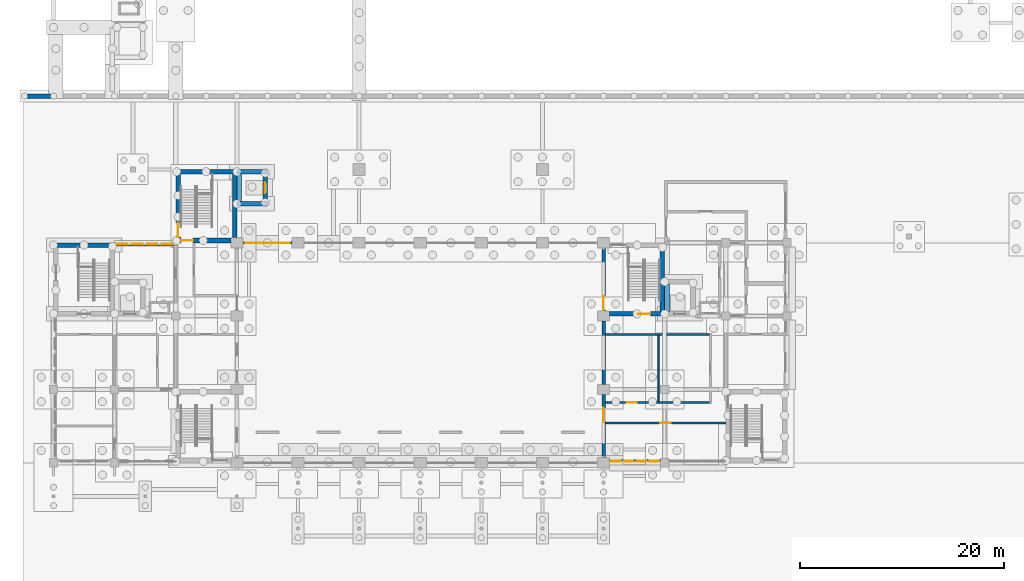
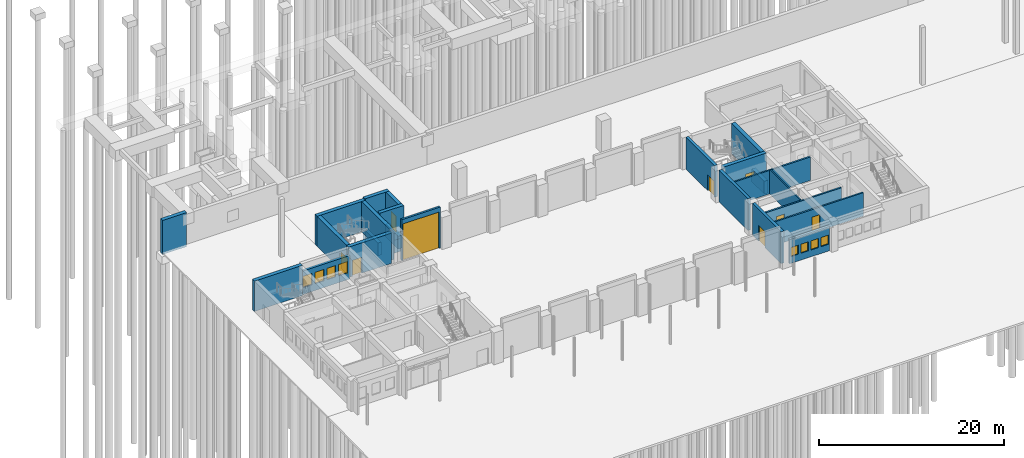
# One storey, part 22 of 37: 26 walls, 9 doors, 8 windows, 17 openings.
"""IFC4 building model written with IfcOpenShell, lengths in metres."""

from ifc_helpers import new_model, si_unit, direction, frame, frame_2d, origin, place, context, subcontext, project, spatial, rectangle, extrude, material, layer, layer_set, type_object, element, fill, save


model = new_model("IFC4")

# Units and contexts
model_context = context("Model", 3, precision=1e-05, world=origin(), true_north=direction((0.0, 1.0)))
body_context = subcontext(model_context, "Body", "Model", "MODEL_VIEW")
ifc_project = project(units=[si_unit("LENGTHUNIT", "METRE"), si_unit("AREAUNIT", "SQUARE_METRE"), si_unit("VOLUMEUNIT", "CUBIC_METRE"), si_unit("PLANEANGLEUNIT", "RADIAN"), si_unit("MASSUNIT", "GRAM", prefix="KILO")], contexts=[model_context])

# Site, building, storey
site_placement = place(None, origin())
site = spatial("IfcSite", under=ifc_project, at=site_placement, CompositionType="ELEMENT")
building_placement = place(site_placement, origin())
building = spatial("IfcBuilding", under=site, at=building_placement, Name="Laocheng Heights Fire and Rescue Headquarters", CompositionType="ELEMENT")
storey_placement = place(building_placement, origin())
storey = spatial("IfcBuildingStorey", under=building, at=storey_placement, Name="L00", CompositionType="ELEMENT", Elevation=0.0)

# Wall, opening, door
ifc_material_1 = material(Name="Gypsum plaster")
ifc_layer_1 = layer(ifc_material_1, 0.010009765625, Name="PLASTER", Category="plaster")
ifc_material_2 = material(Name="Concrete blockwork MU10", Category="masonry")
ifc_layer_2 = layer(ifc_material_2, 0.179931640625, Name="BLOCKWORK", Category="masonry")
ifc_layer_3 = layer(ifc_material_1, 0.010009765625, Name="PLASTER", Category="plaster")
ifc_layer_set_1 = layer_set([ifc_layer_1, ifc_layer_2, ifc_layer_3], Name="Concrete blockwork MU10")
wall_type_1 = type_object("IfcWallType", Name="BLOCKWORK FIRE PARTITION 200 EI 60 BAY", PredefinedType="PARTITIONING", material=ifc_layer_set_1)
wall_1_placement = place(storey_placement, frame((54.14990234375, 3.89990234375, 0.0), z_axis=(0.0, 0.0, 1.0), x_axis=(1.0, 0.0, 0.0)))
wall_1 = element("IfcWall", 1, at=wall_1_placement, inside=storey, type_object=wall_type_1, Name="Partition L00-018", PredefinedType="PARTITIONING", context=body_context, shape_type="SweptSolid", body=[
    extrude(rectangle(XDim=11.85009765625, YDim=0.199951171875, at=frame_2d((5.925048828125, 0.0))), origin(), (0.0, 0.0, 1.0), 3.10009765625),
])
opening_1_placement = place(wall_1_placement, frame((5.425048828125, 0.0, 0.0)))
opening_1 = element("IfcOpeningElement", 2, at=opening_1_placement, cuts=wall_1, Name="Opening L00-I08", PredefinedType="OPENING", context=body_context, shape_type="SweptSolid", body=[
    extrude(rectangle(XDim=1.0, YDim=2.10009765625, at=frame_2d((0.5, 1.050048828125))), frame((0.0, 0.10986328125, 0.0), z_axis=(0.0, -1.0, 0.0), x_axis=(1.0, 0.0, 0.0)), (0.0, 0.0, 1.0), 0.219970703125),
])
ifc_material_3 = material(Name="Steel door leaf, painted", Category="steel")
door_type_1 = type_object("IfcDoorType", Name="STEEL FIRE DOOR 1000x2100 EI 60 BAY", OperationType="SINGLE_SWING_LEFT", PredefinedType="DOOR", material=ifc_material_3)
door_1_placement = place(opening_1_placement, frame((1.0, 0.0, 0.0), z_axis=(0.0, 0.0, 1.0), x_axis=(-1.0, 0.0, 0.0)))
door_1 = element("IfcDoor", 3, at=door_1_placement, inside=storey, type_object=door_type_1, Name="Door L00-I08", OperationType="SINGLE_SWING_RIGHT", OverallHeight=2.10009765625, OverallWidth=1.0, PredefinedType="DOOR", context=body_context, shape_type="SweptSolid", body=[
    extrude(rectangle(XDim=1.0, YDim=2.10009765625, at=frame_2d((0.5, 1.050048828125))), frame((0.0, 0.02490234375, 0.0), z_axis=(0.0, -1.0, 0.0), x_axis=(1.0, 0.0, 0.0)), (0.0, 0.0, 1.0), 0.050048828125),
])
fill(opening_1, door_1)

wall_2_placement = place(storey_placement, frame((54.14990234375, 5.89990234375, 0.0), z_axis=(0.0, 0.0, 1.0), x_axis=(1.0, 0.0, 0.0)))
wall_2 = element("IfcWall", 4, at=wall_2_placement, inside=storey, type_object=wall_type_1, Name="Partition L00-019", PredefinedType="PARTITIONING", context=body_context, shape_type="SweptSolid", body=[
    extrude(rectangle(XDim=10.25, YDim=0.199951171875, at=frame_2d((5.125, 0.0))), origin(), (0.0, 0.0, 1.0), 3.10009765625),
])
opening_2_placement = place(wall_2_placement, frame((2.125, 0.0, 0.0)))
opening_2 = element("IfcOpeningElement", 5, at=opening_2_placement, cuts=wall_2, Name="Opening L00-I09", PredefinedType="OPENING", context=body_context, shape_type="SweptSolid", body=[
    extrude(rectangle(XDim=1.0, YDim=2.10009765625, at=frame_2d((0.5, 1.050048828125))), frame((0.0, 0.10986328125, 0.0), z_axis=(0.0, -1.0, 0.0), x_axis=(1.0, 0.0, 0.0)), (0.0, 0.0, 1.0), 0.219970703125),
])
door_2_placement = place(opening_2_placement, origin())
door_2 = element("IfcDoor", 6, at=door_2_placement, inside=storey, type_object=door_type_1, Name="Door L00-I09", OperationType="SINGLE_SWING_RIGHT", OverallHeight=2.10009765625, OverallWidth=1.0, PredefinedType="DOOR", context=body_context, shape_type="SweptSolid", body=[
    extrude(rectangle(XDim=1.0, YDim=2.10009765625, at=frame_2d((0.5, 1.050048828125))), frame((0.0, 0.02490234375, 0.0), z_axis=(0.0, -1.0, 0.0), x_axis=(1.0, 0.0, 0.0)), (0.0, 0.0, 1.0), 0.050048828125),
])
fill(opening_2, door_2)

# Walls
wall_3_placement = place(storey_placement, frame((54.14990234375, 12.60009765625, 0.0), z_axis=(0.0, 0.0, 1.0), x_axis=(1.0, 0.0, 0.0)))
element("IfcWall", 7, at=wall_3_placement, inside=storey, type_object=wall_type_1, Name="Partition L00-023", PredefinedType="PARTITIONING", context=body_context, shape_type="SweptSolid", body=[
    extrude(rectangle(XDim=10.25, YDim=0.199951171875, at=frame_2d((5.125, 0.0))), origin(), (0.0, 0.0, 1.0), 3.10009765625),
])
ifc_material_4 = material(Name="Gypsum plaster")
ifc_layer_4 = layer(ifc_material_4, 0.010009765625, Name="PLASTER", Category="plaster")
ifc_material_5 = material(Name="Concrete blockwork MU10", Category="masonry")
ifc_layer_5 = layer(ifc_material_5, 0.1298828125, Name="BLOCKWORK", Category="masonry")
ifc_layer_6 = layer(ifc_material_4, 0.010009765625, Name="PLASTER", Category="plaster")
ifc_layer_set_2 = layer_set([ifc_layer_4, ifc_layer_5, ifc_layer_6], Name="Concrete blockwork MU10")
wall_type_2 = type_object("IfcWallType", Name="BLOCKWORK PARTITION 150 EI 45 BAY", PredefinedType="PARTITIONING", material=ifc_layer_set_2)
wall_4_placement = place(storey_placement, frame((59.39990234375, 6.0, 0.0), z_axis=(0.0, 0.0, 1.0), x_axis=(0.0, 1.0, 0.0)))
element("IfcWall", 8, at=wall_4_placement, inside=storey, type_object=wall_type_2, Name="Partition L00-008", PredefinedType="PARTITIONING", context=body_context, shape_type="SweptSolid", body=[
    extrude(rectangle(XDim=6.5, YDim=0.14990234375, at=frame_2d((3.25, 0.0))), origin(), (0.0, 0.0, 1.0), 3.199951171875),
])

# Wall, openings, windows
ifc_material_6 = material(Name="Precast concrete C40/50", Category="concrete")
ifc_layer_7 = layer(ifc_material_6, 0.300048828125)
ifc_layer_set_3 = layer_set([ifc_layer_7], Name="Precast concrete C40/50")
wall_type_3 = type_object("IfcWallType", Name="PRECAST PANEL WALL 300 EAST FLANK", PredefinedType="SOLIDWALL", material=ifc_layer_set_3)
wall_5_placement = place(storey_placement, frame((54.60009765625, 0.14990234375, 0.0), z_axis=(0.0, 0.0, 1.0), x_axis=(1.0, 0.0, 0.0)))
wall_5 = element("IfcWall", 9, at=wall_5_placement, inside=storey, type_object=wall_type_3, Name="Flank E wall L00", PredefinedType="SOLIDWALL", context=body_context, shape_type="SweptSolid", body=[
    extrude(rectangle(XDim=5.0, YDim=0.300048828125, at=frame_2d((2.5, 0.0))), origin(), (0.0, 0.0, 1.0), 3.199951171875),
])
opening_3_placement = place(wall_5_placement, frame((0.175048828125, 0.0, 0.89990234375)))
opening_3 = element("IfcOpeningElement", 10, at=opening_3_placement, cuts=wall_5, Name="Opening N2-E", PredefinedType="OPENING", context=body_context, shape_type="SweptSolid", body=[
    extrude(rectangle(XDim=0.89990234375, YDim=1.199951171875, at=frame_2d((0.449951171875, 0.60009765625))), frame((0.0, 0.159912109375, 0.0), z_axis=(0.0, -1.0, 0.0), x_axis=(1.0, 0.0, 0.0)), (0.0, 0.0, 1.0), 0.320068359375),
])
opening_4_placement = place(wall_5_placement, frame((1.425048828125, 0.0, 0.89990234375)))
opening_4 = element("IfcOpeningElement", 11, at=opening_4_placement, cuts=wall_5, Name="Opening N2-E", PredefinedType="OPENING", context=body_context, shape_type="SweptSolid", body=[
    extrude(rectangle(XDim=0.89990234375, YDim=1.199951171875, at=frame_2d((0.449951171875, 0.60009765625))), frame((0.0, 0.159912109375, 0.0), z_axis=(0.0, -1.0, 0.0), x_axis=(1.0, 0.0, 0.0)), (0.0, 0.0, 1.0), 0.320068359375),
])
opening_5_placement = place(wall_5_placement, frame((2.675048828125, 0.0, 0.89990234375)))
opening_5 = element("IfcOpeningElement", 12, at=opening_5_placement, cuts=wall_5, Name="Opening N2-E", PredefinedType="OPENING", context=body_context, shape_type="SweptSolid", body=[
    extrude(rectangle(XDim=0.89990234375, YDim=1.199951171875, at=frame_2d((0.449951171875, 0.60009765625))), frame((0.0, 0.159912109375, 0.0), z_axis=(0.0, -1.0, 0.0), x_axis=(1.0, 0.0, 0.0)), (0.0, 0.0, 1.0), 0.320068359375),
])
opening_6_placement = place(wall_5_placement, frame((3.925048828125, 0.0, 0.89990234375)))
opening_6 = element("IfcOpeningElement", 13, at=opening_6_placement, cuts=wall_5, Name="Opening N2-E", PredefinedType="OPENING", context=body_context, shape_type="SweptSolid", body=[
    extrude(rectangle(XDim=0.89990234375, YDim=1.199951171875, at=frame_2d((0.449951171875, 0.60009765625))), frame((0.0, 0.159912109375, 0.0), z_axis=(0.0, -1.0, 0.0), x_axis=(1.0, 0.0, 0.0)), (0.0, 0.0, 1.0), 0.320068359375),
])
ifc_material_7 = material(Name="Low-e double glazing in thermally broken aluminium frame", Category="aluminium")
window_type_1 = type_object("IfcWindowType", Name="PUNCHED WINDOW STEEL FRAME 900 x 1200 SILL 900", PartitioningType="SINGLE_PANEL", PredefinedType="WINDOW", material=ifc_material_7)
window_1_placement = place(opening_3_placement, origin())
window_1 = element("IfcWindow", 14, at=window_1_placement, inside=storey, type_object=window_type_1, Name="Flank_E window L00", OverallHeight=1.199951171875, OverallWidth=0.89990234375, PartitioningType="SINGLE_PANEL", PredefinedType="WINDOW", context=body_context, shape_type="SweptSolid", body=[
    extrude(rectangle(XDim=0.89990234375, YDim=1.199951171875, at=frame_2d((0.449951171875, 0.60009765625))), frame((0.0, 0.030029296875, 0.0), z_axis=(0.0, -1.0, 0.0), x_axis=(1.0, 0.0, 0.0)), (0.0, 0.0, 1.0), 0.06005859375),
])
fill(opening_3, window_1)
window_2_placement = place(opening_4_placement, origin())
window_2 = element("IfcWindow", 15, at=window_2_placement, inside=storey, type_object=window_type_1, Name="Flank_E window L00", OverallHeight=1.199951171875, OverallWidth=0.89990234375, PartitioningType="SINGLE_PANEL", PredefinedType="WINDOW", context=body_context, shape_type="SweptSolid", body=[
    extrude(rectangle(XDim=0.89990234375, YDim=1.199951171875, at=frame_2d((0.449951171875, 0.60009765625))), frame((0.0, 0.030029296875, 0.0), z_axis=(0.0, -1.0, 0.0), x_axis=(1.0, 0.0, 0.0)), (0.0, 0.0, 1.0), 0.06005859375),
])
fill(opening_4, window_2)
window_3_placement = place(opening_5_placement, origin())
window_3 = element("IfcWindow", 16, at=window_3_placement, inside=storey, type_object=window_type_1, Name="Flank_E window L00", OverallHeight=1.199951171875, OverallWidth=0.89990234375, PartitioningType="SINGLE_PANEL", PredefinedType="WINDOW", context=body_context, shape_type="SweptSolid", body=[
    extrude(rectangle(XDim=0.89990234375, YDim=1.199951171875, at=frame_2d((0.449951171875, 0.60009765625))), frame((0.0, 0.030029296875, 0.0), z_axis=(0.0, -1.0, 0.0), x_axis=(1.0, 0.0, 0.0)), (0.0, 0.0, 1.0), 0.06005859375),
])
fill(opening_5, window_3)
window_4_placement = place(opening_6_placement, origin())
window_4 = element("IfcWindow", 17, at=window_4_placement, inside=storey, type_object=window_type_1, Name="Flank_E window L00", OverallHeight=1.199951171875, OverallWidth=0.89990234375, PartitioningType="SINGLE_PANEL", PredefinedType="WINDOW", context=body_context, shape_type="SweptSolid", body=[
    extrude(rectangle(XDim=0.89990234375, YDim=1.199951171875, at=frame_2d((0.449951171875, 0.60009765625))), frame((0.0, 0.030029296875, 0.0), z_axis=(0.0, -1.0, 0.0), x_axis=(1.0, 0.0, 0.0)), (0.0, 0.0, 1.0), 0.06005859375),
])
fill(opening_6, window_4)

ifc_material_8 = material(Name="Precast concrete C40/50", Category="concrete")
ifc_layer_8 = layer(ifc_material_8, 0.300048828125)
ifc_layer_set_4 = layer_set([ifc_layer_8], Name="Precast concrete C40/50")
wall_type_4 = type_object("IfcWallType", Name="PRECAST SANDWICH WALL 300 WEST FLANK", PredefinedType="SOLIDWALL", material=ifc_layer_set_4)
wall_6_placement = place(storey_placement, frame((6.0, 21.449951171875, 0.0), z_axis=(0.0, 0.0, 1.0), x_axis=(1.0, 0.0, 0.0)))
wall_6 = element("IfcWall", 18, at=wall_6_placement, inside=storey, type_object=wall_type_4, Name="Flank W wall L00", PredefinedType="SOLIDWALL", context=body_context, shape_type="SweptSolid", body=[
    extrude(rectangle(XDim=6.0, YDim=0.300048828125, at=frame_2d((3.0, 0.0))), origin(), (0.0, 0.0, 1.0), 3.10009765625),
])
opening_7_placement = place(wall_6_placement, frame((0.1875, 0.0, 0.89990234375)))
opening_7 = element("IfcOpeningElement", 19, at=opening_7_placement, cuts=wall_6, Name="Opening N1-E", PredefinedType="OPENING", context=body_context, shape_type="SweptSolid", body=[
    extrude(rectangle(XDim=1.10009765625, YDim=1.5, at=frame_2d((0.550048828125, 0.75))), frame((0.0, 0.159912109375, 0.0), z_axis=(0.0, -1.0, 0.0), x_axis=(1.0, 0.0, 0.0)), (0.0, 0.0, 1.0), 0.320068359375),
])
opening_8_placement = place(wall_6_placement, frame((1.66259765625, 0.0, 0.89990234375)))
opening_8 = element("IfcOpeningElement", 20, at=opening_8_placement, cuts=wall_6, Name="Opening N1-E", PredefinedType="OPENING", context=body_context, shape_type="SweptSolid", body=[
    extrude(rectangle(XDim=1.10009765625, YDim=1.5, at=frame_2d((0.550048828125, 0.75))), frame((0.0, 0.159912109375, 0.0), z_axis=(0.0, -1.0, 0.0), x_axis=(1.0, 0.0, 0.0)), (0.0, 0.0, 1.0), 0.320068359375),
])
opening_9_placement = place(wall_6_placement, frame((3.137451171875, 0.0, 0.89990234375)))
opening_9 = element("IfcOpeningElement", 21, at=opening_9_placement, cuts=wall_6, Name="Opening N1-E", PredefinedType="OPENING", context=body_context, shape_type="SweptSolid", body=[
    extrude(rectangle(XDim=1.10009765625, YDim=1.5, at=frame_2d((0.550048828125, 0.75))), frame((0.0, 0.159912109375, 0.0), z_axis=(0.0, -1.0, 0.0), x_axis=(1.0, 0.0, 0.0)), (0.0, 0.0, 1.0), 0.320068359375),
])
opening_10_placement = place(wall_6_placement, frame((4.612548828125, 0.0, 0.89990234375)))
opening_10 = element("IfcOpeningElement", 22, at=opening_10_placement, cuts=wall_6, Name="Opening N1-E", PredefinedType="OPENING", context=body_context, shape_type="SweptSolid", body=[
    extrude(rectangle(XDim=1.10009765625, YDim=1.5, at=frame_2d((0.550048828125, 0.75))), frame((0.0, 0.159912109375, 0.0), z_axis=(0.0, -1.0, 0.0), x_axis=(1.0, 0.0, 0.0)), (0.0, 0.0, 1.0), 0.320068359375),
])
ifc_material_9 = material(Name="Low-e double glazing in thermally broken aluminium frame", Category="aluminium")
window_type_2 = type_object("IfcWindowType", Name="CASEMENT WINDOW 1100 x 1500 SILL 900", PartitioningType="SINGLE_PANEL", PredefinedType="WINDOW", material=ifc_material_9)
window_5_placement = place(opening_7_placement, origin())
window_5 = element("IfcWindow", 23, at=window_5_placement, inside=storey, type_object=window_type_2, Name="Flank_W window L00", OverallHeight=1.5, OverallWidth=1.10009765625, PartitioningType="SINGLE_PANEL", PredefinedType="WINDOW", context=body_context, shape_type="SweptSolid", body=[
    extrude(rectangle(XDim=1.10009765625, YDim=1.5, at=frame_2d((0.550048828125, 0.75))), frame((0.0, 0.030029296875, 0.0), z_axis=(0.0, -1.0, 0.0), x_axis=(1.0, 0.0, 0.0)), (0.0, 0.0, 1.0), 0.06005859375),
])
fill(opening_7, window_5)
window_6_placement = place(opening_8_placement, origin())
window_6 = element("IfcWindow", 24, at=window_6_placement, inside=storey, type_object=window_type_2, Name="Flank_W window L00", OverallHeight=1.5, OverallWidth=1.10009765625, PartitioningType="SINGLE_PANEL", PredefinedType="WINDOW", context=body_context, shape_type="SweptSolid", body=[
    extrude(rectangle(XDim=1.10009765625, YDim=1.5, at=frame_2d((0.550048828125, 0.75))), frame((0.0, 0.030029296875, 0.0), z_axis=(0.0, -1.0, 0.0), x_axis=(1.0, 0.0, 0.0)), (0.0, 0.0, 1.0), 0.06005859375),
])
fill(opening_8, window_6)
window_7_placement = place(opening_9_placement, origin())
window_7 = element("IfcWindow", 25, at=window_7_placement, inside=storey, type_object=window_type_2, Name="Flank_W window L00", OverallHeight=1.5, OverallWidth=1.10009765625, PartitioningType="SINGLE_PANEL", PredefinedType="WINDOW", context=body_context, shape_type="SweptSolid", body=[
    extrude(rectangle(XDim=1.10009765625, YDim=1.5, at=frame_2d((0.550048828125, 0.75))), frame((0.0, 0.030029296875, 0.0), z_axis=(0.0, -1.0, 0.0), x_axis=(1.0, 0.0, 0.0)), (0.0, 0.0, 1.0), 0.06005859375),
])
fill(opening_9, window_7)
window_8_placement = place(opening_10_placement, origin())
window_8 = element("IfcWindow", 26, at=window_8_placement, inside=storey, type_object=window_type_2, Name="Flank_W window L00", OverallHeight=1.5, OverallWidth=1.10009765625, PartitioningType="SINGLE_PANEL", PredefinedType="WINDOW", context=body_context, shape_type="SweptSolid", body=[
    extrude(rectangle(XDim=1.10009765625, YDim=1.5, at=frame_2d((0.550048828125, 0.75))), frame((0.0, 0.030029296875, 0.0), z_axis=(0.0, -1.0, 0.0), x_axis=(1.0, 0.0, 0.0)), (0.0, 0.0, 1.0), 0.06005859375),
])
fill(opening_10, window_8)

# Wall, opening, door
ifc_material_10 = material(Name="Concrete C50", Category="concrete")
ifc_layer_9 = layer(ifc_material_10, 0.35009765625)
ifc_layer_set_5 = layer_set([ifc_layer_9], Name="Concrete C50")
wall_type_5 = type_object("IfcWallType", Name="RC COMPARTMENT WALL 350 HALL REI 180", PredefinedType="SOLIDWALL", material=ifc_layer_set_5)
wall_7_placement = place(storey_placement, frame((54.0, 0.5, 0.0), z_axis=(0.0, 0.0, 1.0), x_axis=(0.0, 1.0, 0.0)))
wall_7 = element("IfcWall", 27, at=wall_7_placement, inside=storey, type_object=wall_type_5, Name="Hall compartment wall E1", PredefinedType="SOLIDWALL", context=body_context, shape_type="SweptSolid", body=[
    extrude(rectangle(XDim=6.199951171875, YDim=0.35009765625, at=frame_2d((3.10009765625, 0.0))), origin(), (0.0, 0.0, 1.0), 4.199951171875),
])
opening_11_placement = place(wall_7_placement, frame((3.5, 0.0, 0.0)))
opening_11 = element("IfcOpeningElement", 28, at=opening_11_placement, cuts=wall_7, Name="Opening L00-I21", PredefinedType="OPENING", context=body_context, shape_type="SweptSolid", body=[
    extrude(rectangle(XDim=1.39990234375, YDim=2.10009765625, at=frame_2d((0.699951171875, 1.050048828125))), frame((0.0, 0.18505859375, 0.0), z_axis=(0.0, -1.0, 0.0), x_axis=(1.0, 0.0, 0.0)), (0.0, 0.0, 1.0), 0.3701171875),
])
ifc_material_11 = material(Name="Steel door leaf with vision panel, double acting", Category="steel")
door_type_2 = type_object("IfcDoorType", Name="DOUBLE-ACTING DOOR 1400 x 2100 WITH VISION PANEL EI 120", OperationType="DOUBLE_DOOR_DOUBLE_SWING", PredefinedType="DOOR", material=ifc_material_11)
door_3_placement = place(opening_11_placement, origin())
door_3 = element("IfcDoor", 29, at=door_3_placement, inside=storey, type_object=door_type_2, Name="Door L00-I21", OperationType="DOUBLE_DOOR_DOUBLE_SWING", OverallHeight=2.10009765625, OverallWidth=1.39990234375, PredefinedType="DOOR", context=body_context, shape_type="SweptSolid", body=[
    extrude(rectangle(XDim=1.39990234375, YDim=2.10009765625, at=frame_2d((0.699951171875, 1.050048828125))), frame((0.0, 0.02490234375, 0.0), z_axis=(0.0, -1.0, 0.0), x_axis=(1.0, 0.0, 0.0)), (0.0, 0.0, 1.0), 0.050048828125),
])
fill(opening_11, door_3)

# Wall
wall_8_placement = place(storey_placement, frame((54.0, 7.699951171875, 0.0), z_axis=(0.0, 0.0, 1.0), x_axis=(0.0, 1.0, 0.0)))
element("IfcWall", 30, at=wall_8_placement, inside=storey, type_object=wall_type_5, Name="Hall compartment wall E2", PredefinedType="SOLIDWALL", context=body_context, shape_type="SweptSolid", body=[
    extrude(rectangle(XDim=6.199951171875, YDim=0.35009765625, at=frame_2d((3.10009765625, 0.0))), origin(), (0.0, 0.0, 1.0), 4.199951171875),
])

# Wall, opening, door
wall_9_placement = place(storey_placement, frame((54.0, 14.89990234375, 0.0), z_axis=(0.0, 0.0, 1.0), x_axis=(0.0, 1.0, 0.0)))
wall_9 = element("IfcWall", 31, at=wall_9_placement, inside=storey, type_object=wall_type_5, Name="Hall compartment wall E3", PredefinedType="SOLIDWALL", context=body_context, shape_type="SweptSolid", body=[
    extrude(rectangle(XDim=6.2001953125, YDim=0.35009765625, at=frame_2d((3.10009765625, 0.0))), origin(), (0.0, 0.0, 1.0), 4.199951171875),
])
opening_12_placement = place(wall_9_placement, frame((0.10009765625, 0.0, 0.0)))
opening_12 = element("IfcOpeningElement", 32, at=opening_12_placement, cuts=wall_9, Name="Opening L00-I20", PredefinedType="OPENING", context=body_context, shape_type="SweptSolid", body=[
    extrude(rectangle(XDim=1.39990234375, YDim=2.10009765625, at=frame_2d((0.699951171875, 1.050048828125))), frame((0.0, 0.18505859375, 0.0), z_axis=(0.0, -1.0, 0.0), x_axis=(1.0, 0.0, 0.0)), (0.0, 0.0, 1.0), 0.3701171875),
])
door_4_placement = place(opening_12_placement, origin())
door_4 = element("IfcDoor", 33, at=door_4_placement, inside=storey, type_object=door_type_2, Name="Door L00-I20", OperationType="DOUBLE_DOOR_DOUBLE_SWING", OverallHeight=2.10009765625, OverallWidth=1.39990234375, PredefinedType="DOOR", context=body_context, shape_type="SweptSolid", body=[
    extrude(rectangle(XDim=1.39990234375, YDim=2.10009765625, at=frame_2d((0.699951171875, 1.050048828125))), frame((0.0, 0.02490234375, 0.0), z_axis=(0.0, -1.0, 0.0), x_axis=(1.0, 0.0, 0.0)), (0.0, 0.0, 1.0), 0.050048828125),
])
fill(opening_12, door_4)

ifc_material_12 = material(Name="Concrete C40", Category="concrete")
ifc_layer_10 = layer(ifc_material_12, 0.25)
ifc_layer_set_6 = layer_set([ifc_layer_10], Name="Concrete C40")
wall_type_6 = type_object("IfcWallType", Name="RC DOOR WALL 250 BAY GABLE", PredefinedType="SOLIDWALL", material=ifc_layer_set_6)
wall_10_placement = place(storey_placement, frame((18.60009765625, 21.60009765625, 0.0), z_axis=(0.0, 0.0, 1.0), x_axis=(1.0, 0.0, 0.0)))
wall_10 = element("IfcWall", 34, at=wall_10_placement, inside=storey, type_object=wall_type_6, Name="Gable door wall N1", PredefinedType="SOLIDWALL", context=body_context, shape_type="SweptSolid", body=[
    extrude(rectangle(XDim=4.7998046875, YDim=0.25, at=frame_2d((2.39990234375, 0.0))), origin(), (0.0, 0.0, 1.0), 5.39990234375),
])
opening_13_placement = place(wall_10_placement, frame((0.14990234375, 0.0, 0.0)))
opening_13 = element("IfcOpeningElement", 35, at=opening_13_placement, cuts=wall_10, Name="Opening L00-P07", PredefinedType="OPENING", context=body_context, shape_type="SweptSolid", body=[
    extrude(rectangle(XDim=4.5, YDim=4.800048828125, at=frame_2d((2.25, 2.39990234375))), frame((0.0, 0.135009765625, 0.0), z_axis=(0.0, -1.0, 0.0), x_axis=(1.0, 0.0, 0.0)), (0.0, 0.0, 1.0), 0.27001953125),
])
ifc_material_13 = material(Name="Powder-coated steel sectional door, signal red, vision panels", Category="steel")
door_type_3 = type_object("IfcDoorType", Name="SECTIONAL OVERHEAD VEHICLE DOOR 4500 x 4800", OperationType="ROLLINGUP", PredefinedType="DOOR", material=ifc_material_13)
door_5_placement = place(opening_13_placement, origin())
door_5 = element("IfcDoor", 36, at=door_5_placement, inside=storey, type_object=door_type_3, Name="Vehicle door L00-P07", OperationType="ROLLINGUP", OverallHeight=4.800048828125, OverallWidth=4.5, PredefinedType="DOOR", context=body_context, shape_type="SweptSolid", body=[
    extrude(rectangle(XDim=4.5, YDim=4.800048828125, at=frame_2d((2.25, 2.39990234375))), frame((0.0, 0.02490234375, 0.0), z_axis=(0.0, -1.0, 0.0), x_axis=(1.0, 0.0, 0.0)), (0.0, 0.0, 1.0), 0.050048828125),
])
fill(opening_13, door_5)

# Walls
ifc_material_14 = material(Name="Concrete C50", Category="concrete")
ifc_layer_11 = layer(ifc_material_14, 0.449951171875)
ifc_layer_set_7 = layer_set([ifc_layer_11], Name="Concrete C50")
wall_type_7 = type_object("IfcWallType", Name="RC LIFT SHAFT WALL 450", PredefinedType="SHEAR", material=ifc_layer_set_7)
for number, where, z_axis, x_axis, name in (
    (37, (18.0, 25.425048828125, 0.0), (0.0, 0.0, 1.0), (1.0, 0.0, 0.0), "Lift shaft wall"),
    (38, (18.0, 28.574951171875, 0.0), (0.0, 0.0, 1.0), (1.0, 0.0, 0.0), "Lift shaft wall"),
):
    element("IfcWall", number, at=place(storey_placement, frame(where, z_axis=z_axis, x_axis=x_axis)), inside=storey, type_object=wall_type_7, Name=name, PredefinedType="SHEAR", context=body_context, shape_type="SweptSolid", body=[
        extrude(rectangle(XDim=3.0, YDim=0.449951171875, at=frame_2d((1.5, 0.0))), origin(), (0.0, 0.0, 1.0), 4.199951171875),
    ])

# Wall, opening, door
wall_11_placement = place(storey_placement, frame((20.77490234375, 25.64990234375, 0.0), z_axis=(0.0, 0.0, 1.0), x_axis=(0.0, 1.0, 0.0)))
wall_11 = element("IfcWall", 39, at=wall_11_placement, inside=storey, type_object=wall_type_7, Name="Lift shaft wall", PredefinedType="SHEAR", context=body_context, shape_type="SweptSolid", body=[
    extrude(rectangle(XDim=2.7001953125, YDim=0.449951171875, at=frame_2d((1.35009765625, 0.0))), origin(), (0.0, 0.0, 1.0), 4.199951171875),
])
opening_14_placement = place(wall_11_placement, frame((0.800048828125, 0.0, 0.0)))
opening_14 = element("IfcOpeningElement", 40, at=opening_14_placement, cuts=wall_11, Name="Opening L00-K15", PredefinedType="OPENING", context=body_context, shape_type="SweptSolid", body=[
    extrude(rectangle(XDim=1.10009765625, YDim=2.10009765625, at=frame_2d((0.550048828125, 1.050048828125))), frame((0.0, 0.23486328125, 0.0), z_axis=(0.0, -1.0, 0.0), x_axis=(1.0, 0.0, 0.0)), (0.0, 0.0, 1.0), 0.469970703125),
])
ifc_material_15 = material(Name="Stainless steel", Category="steel")
door_type_4 = type_object("IfcDoorType", Name="LANDING DOOR G-L1 SLIDING 1100x2100 E 120", OperationType="DOUBLE_DOOR_SLIDING", PredefinedType="DOOR", material=ifc_material_15)
door_6_placement = place(opening_14_placement, origin())
door_6 = element("IfcDoor", 41, at=door_6_placement, inside=storey, type_object=door_type_4, Name="Landing door G-L1", OperationType="DOUBLE_DOOR_SLIDING", OverallHeight=2.10009765625, OverallWidth=1.10009765625, PredefinedType="DOOR", context=body_context, shape_type="SweptSolid", body=[
    extrude(rectangle(XDim=1.10009765625, YDim=2.10009765625, at=frame_2d((0.550048828125, 1.050048828125))), frame((0.0, 0.02490234375, 0.0), z_axis=(0.0, -1.0, 0.0), x_axis=(1.0, 0.0, 0.0)), (0.0, 0.0, 1.0), 0.050048828125),
])
fill(opening_14, door_6)

# Walls
ifc_material_16 = material(Name="Concrete C40", Category="concrete")
ifc_layer_12 = layer(ifc_material_16, 0.449951171875)
ifc_layer_set_8 = layer_set([ifc_layer_12], Name="Concrete C40")
wall_type_8 = type_object("IfcWallType", Name="RC RETAINING WALL 450", PredefinedType="SOLIDWALL", material=ifc_layer_set_8)
wall_12_placement = place(storey_placement, frame((-3.0, 36.0, -0.300048828125), z_axis=(0.0, 0.0, 1.0), x_axis=(1.0, 0.0, 0.0)))
element("IfcWall", 42, at=wall_12_placement, inside=storey, type_object=wall_type_8, Name="Retaining wall RW1 -3 to 0", PredefinedType="SOLIDWALL", context=body_context, shape_type="SweptSolid", body=[
    extrude(rectangle(XDim=3.0, YDim=0.449951171875, at=frame_2d((1.5, 0.0))), origin(), (0.0, 0.0, 1.0), 4.5),
])
ifc_material_17 = material(Name="Concrete C50", Category="concrete")
ifc_layer_13 = layer(ifc_material_17, 0.449951171875)
ifc_layer_set_9 = layer_set([ifc_layer_13], Name="Concrete C50")
wall_type_9 = type_object("IfcWallType", Name="RC STAIR ENCLOSURE WALL 450", PredefinedType="SHEAR", material=ifc_layer_set_9)
wall_13_placement = place(storey_placement, frame((0.0, 21.375, 0.0), z_axis=(0.0, 0.0, 1.0), x_axis=(1.0, 0.0, 0.0)))
element("IfcWall", 43, at=wall_13_placement, inside=storey, type_object=wall_type_9, Name="Stair enclosure wall", PredefinedType="SHEAR", context=body_context, shape_type="SweptSolid", body=[
    extrude(rectangle(XDim=6.0, YDim=0.449951171875, at=frame_2d((3.0, 0.0))), origin(), (0.0, 0.0, 1.0), 4.0),
])

# Wall, opening, door
wall_14_placement = place(storey_placement, frame((54.60009765625, 14.625, 0.0), z_axis=(0.0, 0.0, 1.0), x_axis=(1.0, 0.0, 0.0)))
wall_14 = element("IfcWall", 44, at=wall_14_placement, inside=storey, type_object=wall_type_9, Name="Stair enclosure wall", PredefinedType="SHEAR", context=body_context, shape_type="SweptSolid", body=[
    extrude(rectangle(XDim=5.39990234375, YDim=0.449951171875, at=frame_2d((2.699951171875, 0.0))), origin(), (0.0, 0.0, 1.0), 4.0),
])
opening_15_placement = place(wall_14_placement, frame((2.800048828125, 0.0, 0.0)))
opening_15 = element("IfcOpeningElement", 45, at=opening_15_placement, cuts=wall_14, Name="Opening L00-K07", PredefinedType="OPENING", context=body_context, shape_type="SweptSolid", body=[
    extrude(rectangle(XDim=1.199951171875, YDim=2.10009765625, at=frame_2d((0.60009765625, 1.050048828125))), frame((0.0, 0.23486328125, 0.0), z_axis=(0.0, -1.0, 0.0), x_axis=(1.0, 0.0, 0.0)), (0.0, 0.0, 1.0), 0.469970703125),
])
ifc_material_18 = material(Name="Painted steel", Category="steel")
door_type_5 = type_object("IfcDoorType", Name="FIRE DOOR 1200x2100 EI 60", OperationType="SINGLE_SWING_LEFT", PredefinedType="DOOR", material=ifc_material_18)
door_7_placement = place(opening_15_placement, origin())
door_7 = element("IfcDoor", 46, at=door_7_placement, inside=storey, type_object=door_type_5, Name="Stair E1 door", OperationType="SINGLE_SWING_RIGHT", OverallHeight=2.10009765625, OverallWidth=1.199951171875, PredefinedType="DOOR", context=body_context, shape_type="SweptSolid", body=[
    extrude(rectangle(XDim=1.199951171875, YDim=2.10009765625, at=frame_2d((0.60009765625, 1.050048828125))), frame((0.0, 0.02490234375, 0.0), z_axis=(0.0, -1.0, 0.0), x_axis=(1.0, 0.0, 0.0)), (0.0, 0.0, 1.0), 0.050048828125),
])
fill(opening_15, door_7)

# Wall
wall_15_placement = place(storey_placement, frame((59.77490234375, 14.85009765625, 0.0), z_axis=(0.0, 0.0, 1.0), x_axis=(0.0, 1.0, 0.0)))
element("IfcWall", 47, at=wall_15_placement, inside=storey, type_object=wall_type_9, Name="Stair enclosure wall", PredefinedType="SHEAR", context=body_context, shape_type="SweptSolid", body=[
    extrude(rectangle(XDim=6.2998046875, YDim=0.449951171875, at=frame_2d((3.14990234375, 0.0))), origin(), (0.0, 0.0, 1.0), 4.0),
])

# Wall, opening, door
wall_16_placement = place(storey_placement, frame((12.0, 21.824951171875, 0.0), z_axis=(0.0, 0.0, 1.0), x_axis=(1.0, 0.0, 0.0)))
wall_16 = element("IfcWall", 48, at=wall_16_placement, inside=storey, type_object=wall_type_9, Name="Stair enclosure wall", PredefinedType="SHEAR", context=body_context, shape_type="SweptSolid", body=[
    extrude(rectangle(XDim=5.39990234375, YDim=0.449951171875, at=frame_2d((2.699951171875, 0.0))), origin(), (0.0, 0.0, 1.0), 4.0),
])
opening_16_placement = place(wall_16_placement, frame((0.5, 0.0, 0.0)))
opening_16 = element("IfcOpeningElement", 49, at=opening_16_placement, cuts=wall_16, Name="Opening L00-K13", PredefinedType="OPENING", context=body_context, shape_type="SweptSolid", body=[
    extrude(rectangle(XDim=1.199951171875, YDim=2.10009765625, at=frame_2d((0.60009765625, 1.050048828125))), frame((0.0, 0.23486328125, 0.0), z_axis=(0.0, -1.0, 0.0), x_axis=(1.0, 0.0, 0.0)), (0.0, 0.0, 1.0), 0.469970703125),
])
door_8_placement = place(opening_16_placement, origin())
door_8 = element("IfcDoor", 50, at=door_8_placement, inside=storey, type_object=door_type_5, Name="Stair G1 door", OperationType="SINGLE_SWING_LEFT", OverallHeight=2.10009765625, OverallWidth=1.199951171875, PredefinedType="DOOR", context=body_context, shape_type="SweptSolid", body=[
    extrude(rectangle(XDim=1.199951171875, YDim=2.10009765625, at=frame_2d((0.60009765625, 1.050048828125))), frame((0.0, 0.02490234375, 0.0), z_axis=(0.0, -1.0, 0.0), x_axis=(1.0, 0.0, 0.0)), (0.0, 0.0, 1.0), 0.050048828125),
])
fill(opening_16, door_8)

# Wall
wall_17_placement = place(storey_placement, frame((12.0, 28.574951171875, 0.0), z_axis=(0.0, 0.0, 1.0), x_axis=(1.0, 0.0, 0.0)))
element("IfcWall", 51, at=wall_17_placement, inside=storey, type_object=wall_type_9, Name="Stair enclosure wall", PredefinedType="SHEAR", context=body_context, shape_type="SweptSolid", body=[
    extrude(rectangle(XDim=6.0, YDim=0.449951171875, at=frame_2d((3.0, 0.0))), origin(), (0.0, 0.0, 1.0), 4.0),
])

# Wall, opening, door
wall_18_placement = place(storey_placement, frame((12.22509765625, 22.050048828125, 0.0), z_axis=(0.0, 0.0, 1.0), x_axis=(0.0, 1.0, 0.0)))
wall_18 = element("IfcWall", 52, at=wall_18_placement, inside=storey, type_object=wall_type_9, Name="Stair enclosure wall", PredefinedType="SHEAR", context=body_context, shape_type="SweptSolid", body=[
    extrude(rectangle(XDim=6.300048828125, YDim=0.449951171875, at=frame_2d((3.14990234375, 0.0))), origin(), (0.0, 0.0, 1.0), 4.0),
])
opening_17_placement = place(wall_18_placement, frame((0.110107421875, 0.0, 0.0)))
opening_17 = element("IfcOpeningElement", 53, at=opening_17_placement, cuts=wall_18, Name="Opening L00-K14", PredefinedType="OPENING", context=body_context, shape_type="SweptSolid", body=[
    extrude(rectangle(XDim=1.39990234375, YDim=2.10009765625, at=frame_2d((0.699951171875, 1.050048828125))), frame((0.0, 0.23486328125, 0.0), z_axis=(0.0, -1.0, 0.0), x_axis=(1.0, 0.0, 0.0)), (0.0, 0.0, 1.0), 0.469970703125),
])
ifc_material_19 = material(Name="Painted steel", Category="steel")
door_type_6 = type_object("IfcDoorType", Name="STAIR EXIT DOOR 1400x2100 EI 60", OperationType="DOUBLE_DOOR_SINGLE_SWING", PredefinedType="DOOR", material=ifc_material_19)
door_9_placement = place(opening_17_placement, origin())
door_9 = element("IfcDoor", 54, at=door_9_placement, inside=storey, type_object=door_type_6, Name="Stair G1 exit door", OperationType="DOUBLE_DOOR_SINGLE_SWING", OverallHeight=2.10009765625, OverallWidth=1.39990234375, PredefinedType="DOOR", context=body_context, shape_type="SweptSolid", body=[
    extrude(rectangle(XDim=1.39990234375, YDim=2.10009765625, at=frame_2d((0.699951171875, 1.050048828125))), frame((0.0, 0.02490234375, 0.0), z_axis=(0.0, -1.0, 0.0), x_axis=(1.0, 0.0, 0.0)), (0.0, 0.0, 1.0), 0.050048828125),
])
fill(opening_17, door_9)

# Walls
wall_19_placement = place(storey_placement, frame((17.77490234375, 22.10009765625, 0.0), z_axis=(0.0, 0.0, 1.0), x_axis=(0.0, 1.0, 0.0)))
element("IfcWall", 55, at=wall_19_placement, inside=storey, type_object=wall_type_9, Name="Stair enclosure wall", PredefinedType="SHEAR", context=body_context, shape_type="SweptSolid", body=[
    extrude(rectangle(XDim=6.25, YDim=0.449951171875, at=frame_2d((3.125, 0.0))), origin(), (0.0, 0.0, 1.0), 4.0),
])
ifc_material_20 = material(Name="Concrete C40", Category="concrete")
ifc_layer_14 = layer(ifc_material_20, 0.449951171875)
ifc_layer_set_10 = layer_set([ifc_layer_14], Name="Concrete C40")
wall_type_10 = type_object("IfcWallType", Name="TANKED RC LIFT PIT WALL 450 BELOW DESIGN FLOOD LEVEL", PredefinedType="SHEAR", material=ifc_layer_set_10)
wall_20_placement = place(storey_placement, frame((60.22509765625, 14.85009765625, -1.699951171875), z_axis=(0.0, 0.0, 1.0), x_axis=(0.0, 1.0, 0.0)))
element("IfcWall", 56, at=wall_20_placement, inside=storey, type_object=wall_type_10, Name="Lift pit wall", PredefinedType="SHEAR", context=body_context, shape_type="SweptSolid", body=[
    extrude(rectangle(XDim=2.699951171875, YDim=0.449951171875, at=frame_2d((1.35009765625, 0.0))), origin(), (0.0, 0.0, 1.0), 1.699951171875),
])
for number, where, z_axis, x_axis, name in (
    (57, (18.0, 25.425048828125, -1.699951171875), (0.0, 0.0, 1.0), (1.0, 0.0, 0.0), "Lift pit wall"),
    (58, (18.0, 28.574951171875, -1.699951171875), (0.0, 0.0, 1.0), (1.0, 0.0, 0.0), "Lift pit wall"),
):
    element("IfcWall", number, at=place(storey_placement, frame(where, z_axis=z_axis, x_axis=x_axis)), inside=storey, type_object=wall_type_10, Name=name, PredefinedType="SHEAR", context=body_context, shape_type="SweptSolid", body=[
        extrude(rectangle(XDim=3.0, YDim=0.449951171875, at=frame_2d((1.5, 0.0))), origin(), (0.0, 0.0, 1.0), 1.699951171875),
    ])
for number, where, z_axis, x_axis, name in (
    (59, (18.22509765625, 25.64990234375, -1.699951171875), (0.0, 0.0, 1.0), (0.0, 1.0, 0.0), "Lift pit wall"),
    (60, (20.77490234375, 25.64990234375, -1.699951171875), (0.0, 0.0, 1.0), (0.0, 1.0, 0.0), "Lift pit wall"),
):
    element("IfcWall", number, at=place(storey_placement, frame(where, z_axis=z_axis, x_axis=x_axis)), inside=storey, type_object=wall_type_10, Name=name, PredefinedType="SHEAR", context=body_context, shape_type="SweptSolid", body=[
        extrude(rectangle(XDim=2.7001953125, YDim=0.449951171875, at=frame_2d((1.35009765625, 0.0))), origin(), (0.0, 0.0, 1.0), 1.699951171875),
    ])

save(model, "model.ifc")
